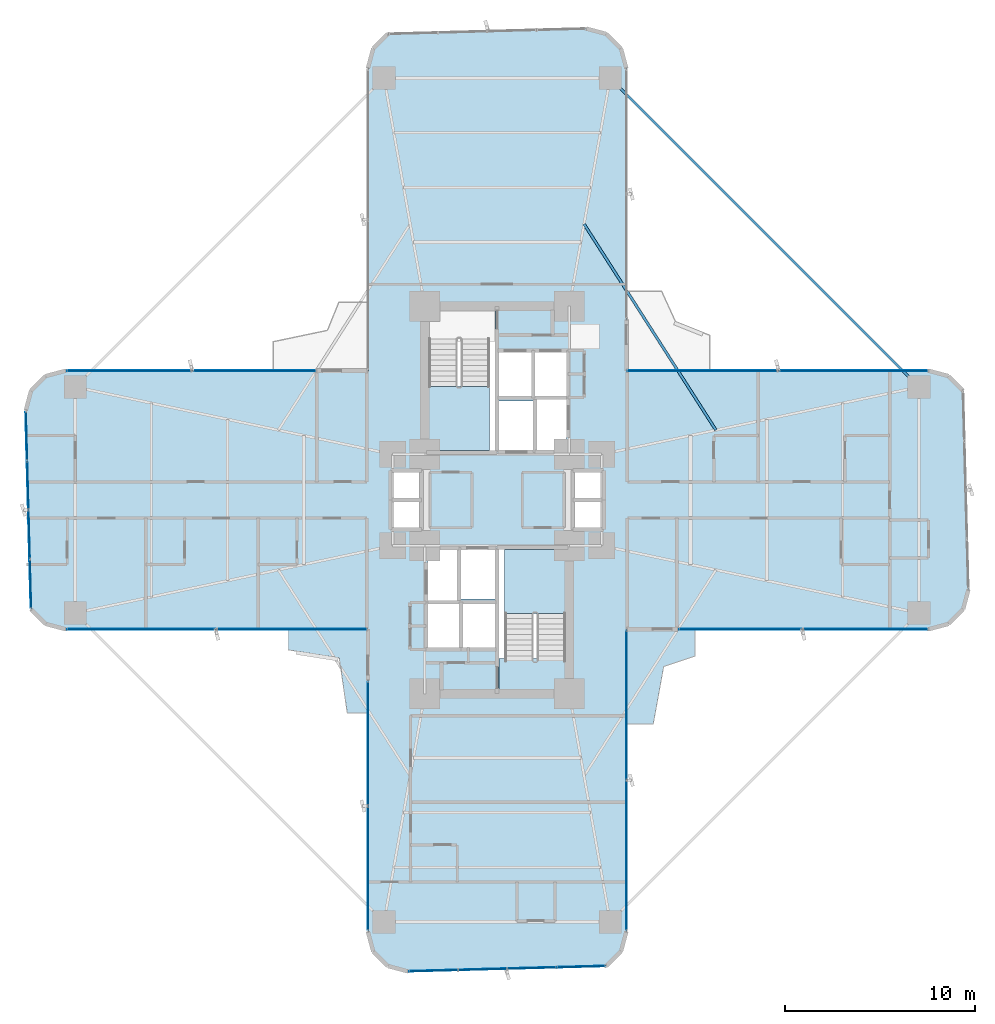
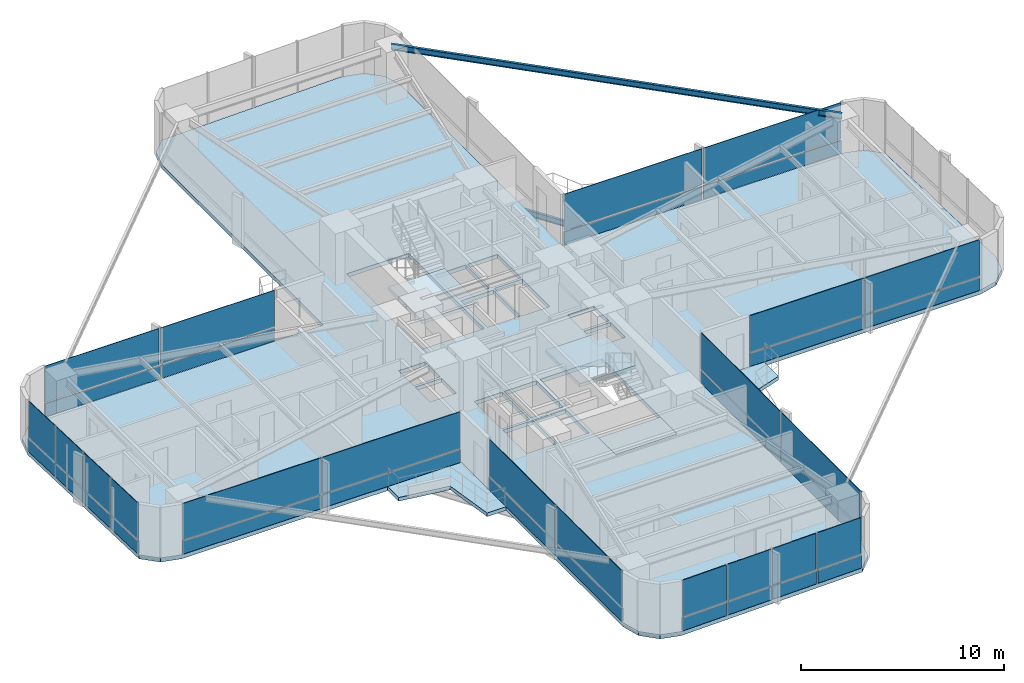
# One storey, part 20 of 25: 40 plates, 6 slabs, 2 beams, 10 elements without a shape of their own.
"""IFC4 building model written with IfcOpenShell, lengths in metres."""

from ifc_helpers import new_model, si_unit, direction, frame, origin, origin_2d, place, context, subcontext, project, spatial, polyline, rectangle, i_section, outline, extrude, source, transform, mapped, material, layer, layer_set, material_profile, profile_set, type_object, element, aggregate, save


model = new_model("IFC4")

# Units and contexts
model_context = context("Model", 3, precision=1e-05, world=origin(), true_north=direction((0.0, 1.0)))
body_context = subcontext(model_context, "Body", "Model", "MODEL_VIEW")
ifc_project = project(units=[si_unit("LENGTHUNIT", "METRE"), si_unit("AREAUNIT", "SQUARE_METRE"), si_unit("VOLUMEUNIT", "CUBIC_METRE"), si_unit("PLANEANGLEUNIT", "RADIAN"), si_unit("MASSUNIT", "GRAM", prefix="KILO")], contexts=[model_context])

# Site, building, storey
site_placement = place(None, origin())
site = spatial("IfcSite", under=ifc_project, at=site_placement, CompositionType="ELEMENT")
building_placement = place(site_placement, origin())
building = spatial("IfcBuilding", under=site, at=building_placement, Name="Sahyath Konkavel Grand Hotel", CompositionType="ELEMENT")
storey_placement = place(building_placement, frame((0.0, 0.0, 57.75)))
storey = spatial("IfcBuildingStorey", under=building, at=storey_placement, Name="L15", CompositionType="ELEMENT", Elevation=57.75)

# Beams
ifc_material_1 = material(Name="Steel E350", Category="steel")
ifc_material_profile_1 = material_profile(ifc_material_1, i_section(OverallWidth=0.139892578125, OverallDepth=0.35009765625, WebThickness=0.008056640625, FlangeThickness=0.01416015625, FilletRadius=0.013916015625, at=origin_2d()), Name="ISMB 350")
ifc_profile_set_1 = profile_set([ifc_material_profile_1], Name="Steel E350")
beam_type_1 = type_object("IfcBeamType", Name="BM-ISMB350", PredefinedType="BEAM", material=ifc_profile_set_1)
shared_shape_1 = source(origin(), body_context, "Body", "SweptSolid", [
    extrude(i_section(OverallWidth=0.139892578125, OverallDepth=0.35009765625, WebThickness=0.008056640625, FlangeThickness=0.01416015625, FilletRadius=0.013916015625, at=origin_2d()), origin(), (0.0, 0.0, 1.0), 22.98095703125),
])
beam_1_placement = place(storey_placement, frame((22.199951171875, 5.949951171875, 2.93505859375), z_axis=(-0.707106781187, 0.707106781187, 0.0), x_axis=(-0.707106781187, -0.707106781187, 0.0)))
element("IfcBeam", 1, at=beam_1_placement, inside=storey, type_object=beam_type_1, Name="L15 Re-Entrant Tie Beam NE", PredefinedType="BEAM", context=body_context, shape_type="MappedRepresentation", body=[
    mapped(shared_shape_1, transform((0.0, 0.0, 0.0), scale=1.0)),
])
ifc_material_profile_2 = material_profile(ifc_material_1, i_section(OverallWidth=0.139892578125, OverallDepth=0.35009765625, WebThickness=0.008056640625, FlangeThickness=0.01416015625, FilletRadius=0.013916015625, at=origin_2d()), Name="ISMB 350")
ifc_profile_set_2 = profile_set([ifc_material_profile_2], Name="Steel E350")
beam_type_2 = type_object("IfcBeamType", Name="BM-BALC-CANT", PredefinedType="BEAM", material=ifc_profile_set_2)
shared_shape_2 = source(origin(), body_context, "Body", "SweptSolid", [
    extrude(i_section(OverallWidth=0.139892578125, OverallDepth=0.35009765625, WebThickness=0.008056640625, FlangeThickness=0.01416015625, FilletRadius=0.013916015625, at=origin_2d()), origin(), (0.0, 0.0, 1.0), 12.871826171875),
])
beam_2_placement = place(storey_placement, frame((11.511962890625, 3.677978515625, -0.4150390625), z_axis=(-0.539003102535, 0.842303778608, 0.0), x_axis=(-0.842303778608, -0.539003102535, 0.0)))
element("IfcBeam", 2, at=beam_2_placement, inside=storey, type_object=beam_type_2, Name="L15 Balcony Cantilever Support Beam NE", PredefinedType="BEAM", context=body_context, shape_type="MappedRepresentation", body=[
    mapped(shared_shape_2, transform((0.0, 0.0, 0.0), scale=1.0)),
])

# Slabs
ifc_material_2 = material(Name="Concrete C40/50", Category="concrete")
ifc_layer_1 = layer(ifc_material_2, 0.239990234375)
ifc_layer_set_1 = layer_set([ifc_layer_1], Name="Concrete C40/50")
slab_type_1 = type_object("IfcSlabType", Name="SLB-240", PredefinedType="FLOOR", material=ifc_layer_set_1)
slab_1_placement = place(storey_placement, frame((0.0, 0.0, -0.239990234375)))
element("IfcSlab", 3, at=slab_1_placement, inside=storey, type_object=slab_type_1, Name="L15 Structural Floor Slab", PredefinedType="FLOOR", context=body_context, shape_type="SweptSolid", body=[
    extrude(outline(polyline([(6.800048828125, -6.800048828125), (22.699951171875, -6.800048828125), (23.75, -6.518798828125), (24.518798828125, -5.75), (24.800048828125, -4.699951171875), (24.518798828125, 5.75), (23.75, 6.518798828125), (22.699951171875, 6.800048828125), (6.800048828125, 6.800048828125), (6.800048828125, 22.699951171875), (6.518798828125, 23.75), (5.75, 24.518798828125), (4.699951171875, 24.800048828125), (-5.75, 24.518798828125), (-6.518798828125, 23.75), (-6.800048828125, 22.699951171875), (-6.800048828125, 6.800048828125), (-22.699951171875, 6.800048828125), (-23.75, 6.518798828125), (-24.518798828125, 5.75), (-24.800048828125, 4.699951171875), (-24.518798828125, -5.75), (-23.75, -6.518798828125), (-22.699951171875, -6.800048828125), (-6.800048828125, -6.800048828125), (-6.800048828125, -22.699951171875), (-6.518798828125, -23.75), (-5.75, -24.518798828125), (-4.699951171875, -24.800048828125), (5.75, -24.518798828125), (6.518798828125, -23.75), (6.800048828125, -22.699951171875), (6.800048828125, -6.800048828125)]), holes=[polyline([(-3.6201171875, 2.580078125), (-0.10009765625, 2.580078125), (-0.10009765625, 10.02001953125), (-3.6201171875, 10.02001953125), (-3.6201171875, 2.580078125)]), polyline([(0.10009765625, -10.02001953125), (3.6201171875, -10.02001953125), (3.6201171875, -2.580078125), (0.10009765625, -2.580078125), (0.10009765625, -10.02001953125)]), polyline([(0.10009765625, 2.60009765625), (1.949951171875, 2.60009765625), (1.949951171875, 5.199951171875), (0.10009765625, 5.199951171875), (0.10009765625, 2.60009765625)]), polyline([(-1.949951171875, -5.199951171875), (-0.10009765625, -5.199951171875), (-0.10009765625, -2.60009765625), (-1.949951171875, -2.60009765625), (-1.949951171875, -5.199951171875)]), polyline([(2.050048828125, 2.60009765625), (3.64990234375, 2.60009765625), (3.64990234375, 5.300048828125), (2.050048828125, 5.300048828125), (2.050048828125, 2.60009765625)]), polyline([(-3.64990234375, -5.300048828125), (-2.050048828125, -5.300048828125), (-2.050048828125, -2.60009765625), (-3.64990234375, -2.60009765625), (-3.64990234375, -5.300048828125)]), polyline([(0.10009765625, 5.449951171875), (1.85009765625, 5.449951171875), (1.85009765625, 7.75), (0.10009765625, 7.75), (0.10009765625, 5.449951171875)]), polyline([(1.949951171875, 5.449951171875), (3.64990234375, 5.449951171875), (3.64990234375, 7.75), (1.949951171875, 7.75), (1.949951171875, 5.449951171875)]), polyline([(-3.64990234375, -7.75), (-1.949951171875, -7.75), (-1.949951171875, -5.449951171875), (-3.64990234375, -5.449951171875), (-3.64990234375, -7.75)]), polyline([(-1.85009765625, -7.75), (-0.10009765625, -7.75), (-0.10009765625, -5.449951171875), (-1.85009765625, -5.449951171875), (-1.85009765625, -7.75)]), polyline([(4.050048828125, 0.080078125), (5.550048828125, 0.080078125), (5.550048828125, 1.5400390625), (4.050048828125, 1.5400390625), (4.050048828125, 0.080078125)]), polyline([(4.050048828125, -1.5400390625), (5.550048828125, -1.5400390625), (5.550048828125, -0.080078125), (4.050048828125, -0.080078125), (4.050048828125, -1.5400390625)]), polyline([(-5.550048828125, 0.080078125), (-4.050048828125, 0.080078125), (-4.050048828125, 1.5400390625), (-5.550048828125, 1.5400390625), (-5.550048828125, 0.080078125)]), polyline([(-5.550048828125, -1.5400390625), (-4.050048828125, -1.5400390625), (-4.050048828125, -0.080078125), (-5.550048828125, -0.080078125), (-5.550048828125, -1.5400390625)])]), origin(), (0.0, 0.0, 1.0), 0.239990234375),
])
ifc_layer_2 = layer(ifc_material_2, 0.219970703125)
ifc_layer_set_2 = layer_set([ifc_layer_2], Name="Concrete C40/50")
slab_type_2 = type_object("IfcSlabType", Name="SLB-BALCONY-220", PredefinedType="FLOOR", material=ifc_layer_set_2)
slab_2_placement = place(storey_placement, frame((0.0, 0.0, -0.219970703125)))
element("IfcSlab", 4, at=slab_2_placement, inside=storey, type_object=slab_type_2, Name="L15 Winter-Garden Balcony SW", PredefinedType="FLOOR", context=body_context, shape_type="SweptSolid", body=[
    extrude(outline(polyline([(-6.800048828125, -6.800048828125), (-10.989990234375, -6.800048828125), (-10.989990234375, -7.885009765625), (-8.306884765625, -8.306884765625), (-7.885009765625, -11.2099609375), (-6.800048828125, -11.2099609375), (-6.800048828125, -6.800048828125)])), origin(), (0.0, 0.0, 1.0), 0.219970703125),
])
slab_3_placement = place(storey_placement, frame((0.0, 0.0, -0.219970703125)))
element("IfcSlab", 5, at=slab_3_placement, inside=storey, type_object=slab_type_2, Name="L15 Winter-Garden Balcony SE", PredefinedType="FLOOR", context=body_context, shape_type="SweptSolid", body=[
    extrude(outline(polyline([(6.800048828125, -6.800048828125), (6.800048828125, -11.791015625), (8.214111328125, -11.791015625), (8.763916015625, -8.763916015625), (10.408935546875, -8.214111328125), (10.408935546875, -6.800048828125), (6.800048828125, -6.800048828125)])), origin(), (0.0, 0.0, 1.0), 0.219970703125),
])

# Stair, slab
stair_type = type_object("IfcStairType", Name="STR-ST16-335", PredefinedType="HALF_TURN_STAIR", material=ifc_material_2)
stair_1_placement = place(storey_placement, origin())
stair_1 = element("IfcStair", 6, at=stair_1_placement, inside=storey, type_object=stair_type, Name="L15 North Core Smokeproof Exit Stair ST-1", PredefinedType="HALF_TURN_STAIR")
ifc_layer_3 = layer(ifc_material_2, 0.199951171875)
ifc_layer_set_3 = layer_set([ifc_layer_3], Name="Concrete C40/50")
slab_type_3 = type_object("IfcSlabType", Name="SLB-STAIR-LND", PredefinedType="LANDING", material=ifc_layer_set_3)
slab_4_placement = place(storey_placement, frame((0.0, 0.0, 1.47509765625)))
slab_4 = element("IfcSlab", 7, at=slab_4_placement, type_object=slab_type_3, Name="ST-1 landing 1", PredefinedType="LANDING", context=body_context, shape_type="SweptSolid", body=[
    extrude(outline(polyline([(-3.60009765625, 5.9599609375), (-3.60009765625, 2.60009765625), (-0.39990234375, 2.60009765625), (-0.39990234375, 5.9599609375), (-3.60009765625, 5.9599609375)])), origin(), (0.0, 0.0, 1.0), 0.199951171875),
])
aggregate(stair_1, [slab_4])

stair_2_placement = place(storey_placement, origin())
stair_2 = element("IfcStair", 8, at=stair_2_placement, inside=storey, type_object=stair_type, Name="L15 South Core Smokeproof Exit Stair ST-2", PredefinedType="HALF_TURN_STAIR")
slab_5_placement = place(storey_placement, frame((0.0, 0.0, 1.47509765625)))
slab_5 = element("IfcSlab", 9, at=slab_5_placement, type_object=slab_type_3, Name="ST-2 landing 1", PredefinedType="LANDING", context=body_context, shape_type="SweptSolid", body=[
    extrude(outline(polyline([(3.60009765625, -5.9599609375), (3.60009765625, -2.60009765625), (0.39990234375, -2.60009765625), (0.39990234375, -5.9599609375), (3.60009765625, -5.9599609375)])), origin(), (0.0, 0.0, 1.0), 0.199951171875),
])
aggregate(stair_2, [slab_5])

# Slab
slab_6_placement = place(storey_placement, frame((0.0, 0.0, -0.199951171875)))
element("IfcSlab", 10, at=slab_6_placement, inside=storey, type_object=slab_type_3, Name="L15 Stair ST-2 Floor Landing Slab", PredefinedType="LANDING", context=body_context, shape_type="SweptSolid", body=[
    extrude(outline(polyline([(0.10009765625, -10.02001953125), (3.6201171875, -10.02001953125), (3.6201171875, -8.35009765625), (0.10009765625, -8.35009765625), (0.10009765625, -10.02001953125)])), origin(), (0.0, 0.0, 1.0), 0.199951171875),
])

# Curtain wall, plates
ifc_material_3 = material(Name="Anodised Bronze Aluminium & Low-E Glazing", Category="aluminium")
curtain_wall_type = type_object("IfcCurtainWallType", Name="CW-ZONE1", PredefinedType="NOTDEFINED", material=ifc_material_3)
curtain_wall_1_placement = place(storey_placement, origin())
curtain_wall_1 = element("IfcCurtainWall", 11, at=curtain_wall_1_placement, inside=storey, type_object=curtain_wall_type, Name="L15 Unitised Curtain Wall F7", PredefinedType="NOTDEFINED")
ifc_material_4 = material(Name="Warm Buff Sandstone Cladding", Category="masonry")
ifc_layer_4 = layer(ifc_material_4, 0.074951171875)
ifc_layer_set_4 = layer_set([ifc_layer_4], Name="Warm Buff Sandstone Cladding")
plate_type_1 = type_object("IfcPlateType", Name="PNL-SPANDREL-STONE", PredefinedType="SHEET", material=ifc_layer_set_4)
shared_shape_3 = source(origin(), body_context, "Body", "SweptSolid", [
    extrude(rectangle(XDim=7.830078125, YDim=0.074951171875, at=origin_2d()), origin(), (0.0, 0.0, 1.0), 0.77001953125),
])
plate_1_placement = place(storey_placement, frame((18.705078125, 6.800048828125, 0.0400390625), z_axis=(0.0, 0.0, 1.0), x_axis=(-1.0, 0.0, 0.0)))
plate_1 = element("IfcPlate", 12, at=plate_1_placement, type_object=plate_type_1, Name="L15 Sandstone Relief Spandrel Panel F7-0", PredefinedType="SHEET", context=body_context, shape_type="MappedRepresentation", body=[
    mapped(shared_shape_3, transform((0.0, 0.0, 0.0), scale=1.0)),
])
plate_2_placement = place(storey_placement, frame((10.794921875, 6.800048828125, 0.0400390625), z_axis=(0.0, 0.0, 1.0), x_axis=(-1.0, 0.0, 0.0)))
plate_2 = element("IfcPlate", 13, at=plate_2_placement, type_object=plate_type_1, Name="L15 Sandstone Relief Spandrel Panel F7-1", PredefinedType="SHEET", context=body_context, shape_type="MappedRepresentation", body=[
    mapped(shared_shape_3, transform((0.0, 0.0, 0.0), scale=1.0)),
])

curtain_wall_2_placement = place(storey_placement, origin())
curtain_wall_2 = element("IfcCurtainWall", 14, at=curtain_wall_2_placement, inside=storey, type_object=curtain_wall_type, Name="L15 Unitised Curtain Wall F23", PredefinedType="NOTDEFINED")
plate_3_placement = place(storey_placement, frame((-18.705078125, -6.800048828125, 0.0400390625), z_axis=(0.0, 0.0, 1.0), x_axis=(1.0, 0.0, 0.0)))
plate_3 = element("IfcPlate", 15, at=plate_3_placement, type_object=plate_type_1, Name="L15 Sandstone Relief Spandrel Panel F23-0", PredefinedType="SHEET", context=body_context, shape_type="MappedRepresentation", body=[
    mapped(shared_shape_3, transform((0.0, 0.0, 0.0), scale=1.0)),
])
plate_4_placement = place(storey_placement, frame((-10.794921875, -6.800048828125, 0.0400390625), z_axis=(0.0, 0.0, 1.0), x_axis=(1.0, 0.0, 0.0)))
plate_4 = element("IfcPlate", 16, at=plate_4_placement, type_object=plate_type_1, Name="L15 Sandstone Relief Spandrel Panel F23-1", PredefinedType="SHEET", context=body_context, shape_type="MappedRepresentation", body=[
    mapped(shared_shape_3, transform((0.0, 0.0, 0.0), scale=1.0)),
])

curtain_wall_3_placement = place(storey_placement, origin())
curtain_wall_3 = element("IfcCurtainWall", 17, at=curtain_wall_3_placement, inside=storey, type_object=curtain_wall_type, Name="L15 Unitised Curtain Wall F31", PredefinedType="NOTDEFINED")
plate_5_placement = place(storey_placement, frame((6.800048828125, -18.705078125, 0.0400390625), z_axis=(0.0, 0.0, 1.0), x_axis=(0.0, 1.0, 0.0)))
plate_5 = element("IfcPlate", 18, at=plate_5_placement, type_object=plate_type_1, Name="L15 Sandstone Relief Spandrel Panel F31-0", PredefinedType="SHEET", context=body_context, shape_type="MappedRepresentation", body=[
    mapped(shared_shape_3, transform((0.0, 0.0, 0.0), scale=1.0)),
])
plate_6_placement = place(storey_placement, frame((6.800048828125, -10.794921875, 0.0400390625), z_axis=(0.0, 0.0, 1.0), x_axis=(0.0, 1.0, 0.0)))
plate_6 = element("IfcPlate", 19, at=plate_6_placement, type_object=plate_type_1, Name="L15 Sandstone Relief Spandrel Panel F31-1", PredefinedType="SHEET", context=body_context, shape_type="MappedRepresentation", body=[
    mapped(shared_shape_3, transform((0.0, 0.0, 0.0), scale=1.0)),
])

# Plate
ifc_material_5 = material(Name="Low-E Solar Control Double Glazing", Category="glass")
ifc_layer_5 = layer(ifc_material_5, 0.035888671875)
ifc_layer_set_5 = layer_set([ifc_layer_5], Name="Low-E Solar Control Double Glazing")
plate_type_2 = type_object("IfcPlateType", Name="PNL-VISION-LOWE", PredefinedType="CURTAIN_PANEL", material=ifc_layer_set_5)
shared_shape_4 = source(origin(), body_context, "Body", "SweptSolid", [
    extrude(rectangle(XDim=7.830078125, YDim=0.035888671875, at=origin_2d()), origin(), (0.0, 0.0, 1.0), 2.179931640625),
])
plate_7_placement = place(storey_placement, frame((18.705078125, 6.800048828125, 0.89013671875), z_axis=(0.0, 0.0, 1.0), x_axis=(-1.0, 0.0, 0.0)))
plate_7 = element("IfcPlate", 20, at=plate_7_placement, type_object=plate_type_2, Name="L15 Low-E Vision Glazing Panel F7-0", PredefinedType="CURTAIN_PANEL", context=body_context, shape_type="MappedRepresentation", body=[
    mapped(shared_shape_4, transform((0.0, 0.0, 0.0), scale=1.0)),
])

plate_8_placement = place(storey_placement, frame((10.794921875, 6.800048828125, 0.89013671875), z_axis=(0.0, 0.0, 1.0), x_axis=(-1.0, 0.0, 0.0)))
plate_8 = element("IfcPlate", 21, at=plate_8_placement, type_object=plate_type_2, Name="L15 Low-E Vision Glazing Panel F7-1", PredefinedType="CURTAIN_PANEL", context=body_context, shape_type="MappedRepresentation", body=[
    mapped(shared_shape_4, transform((0.0, 0.0, 0.0), scale=1.0)),
])

aggregate(curtain_wall_1, [plate_1, plate_7, plate_2, plate_8])

plate_9_placement = place(storey_placement, frame((-18.705078125, -6.800048828125, 0.89013671875), z_axis=(0.0, 0.0, 1.0), x_axis=(1.0, 0.0, 0.0)))
plate_9 = element("IfcPlate", 22, at=plate_9_placement, type_object=plate_type_2, Name="L15 Low-E Vision Glazing Panel F23-0", PredefinedType="CURTAIN_PANEL", context=body_context, shape_type="MappedRepresentation", body=[
    mapped(shared_shape_4, transform((0.0, 0.0, 0.0), scale=1.0)),
])

plate_10_placement = place(storey_placement, frame((-10.794921875, -6.800048828125, 0.89013671875), z_axis=(0.0, 0.0, 1.0), x_axis=(1.0, 0.0, 0.0)))
plate_10 = element("IfcPlate", 23, at=plate_10_placement, type_object=plate_type_2, Name="L15 Low-E Vision Glazing Panel F23-1", PredefinedType="CURTAIN_PANEL", context=body_context, shape_type="MappedRepresentation", body=[
    mapped(shared_shape_4, transform((0.0, 0.0, 0.0), scale=1.0)),
])

aggregate(curtain_wall_2, [plate_3, plate_9, plate_4, plate_10])

plate_11_placement = place(storey_placement, frame((6.800048828125, -18.705078125, 0.89013671875), z_axis=(0.0, 0.0, 1.0), x_axis=(0.0, 1.0, 0.0)))
plate_11 = element("IfcPlate", 24, at=plate_11_placement, type_object=plate_type_2, Name="L15 Low-E Vision Glazing Panel F31-0", PredefinedType="CURTAIN_PANEL", context=body_context, shape_type="MappedRepresentation", body=[
    mapped(shared_shape_4, transform((0.0, 0.0, 0.0), scale=1.0)),
])

plate_12_placement = place(storey_placement, frame((6.800048828125, -10.794921875, 0.89013671875), z_axis=(0.0, 0.0, 1.0), x_axis=(0.0, 1.0, 0.0)))
plate_12 = element("IfcPlate", 25, at=plate_12_placement, type_object=plate_type_2, Name="L15 Low-E Vision Glazing Panel F31-1", PredefinedType="CURTAIN_PANEL", context=body_context, shape_type="MappedRepresentation", body=[
    mapped(shared_shape_4, transform((0.0, 0.0, 0.0), scale=1.0)),
])

aggregate(curtain_wall_3, [plate_5, plate_11, plate_6, plate_12])

# Curtain wall, plates
curtain_wall_4_placement = place(storey_placement, origin())
curtain_wall_4 = element("IfcCurtainWall", 26, at=curtain_wall_4_placement, inside=storey, type_object=curtain_wall_type, Name="L15 Unitised Curtain Wall F20", PredefinedType="NOTDEFINED")
shared_shape_5 = source(origin(), body_context, "Body", "SweptSolid", [
    extrude(rectangle(XDim=2.513427734375, YDim=0.074951171875, at=origin_2d()), origin(), (0.0, 0.0, 1.0), 0.77001953125),
])
plate_13_placement = place(storey_placement, frame((-24.763916015625, 3.36376953125, 0.0400390625), z_axis=(0.0, 0.0, 1.0), x_axis=(0.026909728301, -0.999637867691, 0.0)))
plate_13 = element("IfcPlate", 27, at=plate_13_placement, type_object=plate_type_1, Name="L15 Sandstone Relief Spandrel Panel F20-0", PredefinedType="SHEET", context=body_context, shape_type="MappedRepresentation", body=[
    mapped(shared_shape_5, transform((0.0, 0.0, 0.0), scale=1.0)),
])
plate_14_placement = place(storey_placement, frame((-24.694091796875, 0.771240234375, 0.0400390625), z_axis=(0.0, 0.0, 1.0), x_axis=(0.026909728301, -0.999637867691, 0.0)))
plate_14 = element("IfcPlate", 28, at=plate_14_placement, type_object=plate_type_1, Name="L15 Sandstone Relief Spandrel Panel F20-1", PredefinedType="SHEET", context=body_context, shape_type="MappedRepresentation", body=[
    mapped(shared_shape_5, transform((0.0, 0.0, 0.0), scale=1.0)),
])
plate_15_placement = place(storey_placement, frame((-24.62451171875, -1.8212890625, 0.0400390625), z_axis=(0.0, 0.0, 1.0), x_axis=(0.026909728301, -0.999637867691, 0.0)))
plate_15 = element("IfcPlate", 29, at=plate_15_placement, type_object=plate_type_1, Name="L15 Sandstone Relief Spandrel Panel F20-2", PredefinedType="SHEET", context=body_context, shape_type="MappedRepresentation", body=[
    mapped(shared_shape_5, transform((0.0, 0.0, 0.0), scale=1.0)),
])
plate_16_placement = place(storey_placement, frame((-24.5546875, -4.413818359375, 0.0400390625), z_axis=(0.0, 0.0, 1.0), x_axis=(0.026909728301, -0.999637867691, 0.0)))
plate_16 = element("IfcPlate", 30, at=plate_16_placement, type_object=plate_type_1, Name="L15 Sandstone Relief Spandrel Panel F20-3", PredefinedType="SHEET", context=body_context, shape_type="MappedRepresentation", body=[
    mapped(shared_shape_5, transform((0.0, 0.0, 0.0), scale=1.0)),
])

curtain_wall_5_placement = place(storey_placement, origin())
curtain_wall_5 = element("IfcCurtainWall", 31, at=curtain_wall_5_placement, inside=storey, type_object=curtain_wall_type, Name="L15 Unitised Curtain Wall F28", PredefinedType="NOTDEFINED")
plate_17_placement = place(storey_placement, frame((-3.36376953125, -24.763916015625, 0.0400390625), z_axis=(0.0, 0.0, 1.0), x_axis=(0.999637867691, 0.026909728301, 0.0)))
plate_17 = element("IfcPlate", 32, at=plate_17_placement, type_object=plate_type_1, Name="L15 Sandstone Relief Spandrel Panel F28-0", PredefinedType="SHEET", context=body_context, shape_type="MappedRepresentation", body=[
    mapped(shared_shape_5, transform((0.0, 0.0, 0.0), scale=1.0)),
])
plate_18_placement = place(storey_placement, frame((-0.771240234375, -24.694091796875, 0.0400390625), z_axis=(0.0, 0.0, 1.0), x_axis=(0.999637867691, 0.026909728301, 0.0)))
plate_18 = element("IfcPlate", 33, at=plate_18_placement, type_object=plate_type_1, Name="L15 Sandstone Relief Spandrel Panel F28-1", PredefinedType="SHEET", context=body_context, shape_type="MappedRepresentation", body=[
    mapped(shared_shape_5, transform((0.0, 0.0, 0.0), scale=1.0)),
])
plate_19_placement = place(storey_placement, frame((1.8212890625, -24.62451171875, 0.0400390625), z_axis=(0.0, 0.0, 1.0), x_axis=(0.999637867691, 0.026909728301, 0.0)))
plate_19 = element("IfcPlate", 34, at=plate_19_placement, type_object=plate_type_1, Name="L15 Sandstone Relief Spandrel Panel F28-2", PredefinedType="SHEET", context=body_context, shape_type="MappedRepresentation", body=[
    mapped(shared_shape_5, transform((0.0, 0.0, 0.0), scale=1.0)),
])
plate_20_placement = place(storey_placement, frame((4.413818359375, -24.5546875, 0.0400390625), z_axis=(0.0, 0.0, 1.0), x_axis=(0.999637867691, 0.026909728301, 0.0)))
plate_20 = element("IfcPlate", 35, at=plate_20_placement, type_object=plate_type_1, Name="L15 Sandstone Relief Spandrel Panel F28-3", PredefinedType="SHEET", context=body_context, shape_type="MappedRepresentation", body=[
    mapped(shared_shape_5, transform((0.0, 0.0, 0.0), scale=1.0)),
])

# Plate
shared_shape_6 = source(origin(), body_context, "Body", "SweptSolid", [
    extrude(rectangle(XDim=2.513427734375, YDim=0.035888671875, at=origin_2d()), origin(), (0.0, 0.0, 1.0), 2.179931640625),
])
plate_21_placement = place(storey_placement, frame((-24.763916015625, 3.36376953125, 0.89013671875), z_axis=(0.0, 0.0, 1.0), x_axis=(0.026909728301, -0.999637867691, 0.0)))
plate_21 = element("IfcPlate", 36, at=plate_21_placement, type_object=plate_type_2, Name="L15 Low-E Vision Glazing Panel F20-0", PredefinedType="CURTAIN_PANEL", context=body_context, shape_type="MappedRepresentation", body=[
    mapped(shared_shape_6, transform((0.0, 0.0, 0.0), scale=1.0)),
])

plate_22_placement = place(storey_placement, frame((-24.694091796875, 0.771240234375, 0.89013671875), z_axis=(0.0, 0.0, 1.0), x_axis=(0.026909728301, -0.999637867691, 0.0)))
plate_22 = element("IfcPlate", 37, at=plate_22_placement, type_object=plate_type_2, Name="L15 Low-E Vision Glazing Panel F20-1", PredefinedType="CURTAIN_PANEL", context=body_context, shape_type="MappedRepresentation", body=[
    mapped(shared_shape_6, transform((0.0, 0.0, 0.0), scale=1.0)),
])

plate_23_placement = place(storey_placement, frame((-24.62451171875, -1.8212890625, 0.89013671875), z_axis=(0.0, 0.0, 1.0), x_axis=(0.026909728301, -0.999637867691, 0.0)))
plate_23 = element("IfcPlate", 38, at=plate_23_placement, type_object=plate_type_2, Name="L15 Low-E Vision Glazing Panel F20-2", PredefinedType="CURTAIN_PANEL", context=body_context, shape_type="MappedRepresentation", body=[
    mapped(shared_shape_6, transform((0.0, 0.0, 0.0), scale=1.0)),
])

plate_24_placement = place(storey_placement, frame((-24.5546875, -4.413818359375, 0.89013671875), z_axis=(0.0, 0.0, 1.0), x_axis=(0.026909728301, -0.999637867691, 0.0)))
plate_24 = element("IfcPlate", 39, at=plate_24_placement, type_object=plate_type_2, Name="L15 Low-E Vision Glazing Panel F20-3", PredefinedType="CURTAIN_PANEL", context=body_context, shape_type="MappedRepresentation", body=[
    mapped(shared_shape_6, transform((0.0, 0.0, 0.0), scale=1.0)),
])

aggregate(curtain_wall_4, [plate_13, plate_21, plate_14, plate_22, plate_15, plate_23, plate_16, plate_24])

plate_25_placement = place(storey_placement, frame((-3.36376953125, -24.763916015625, 0.89013671875), z_axis=(0.0, 0.0, 1.0), x_axis=(0.999637867691, 0.026909728301, 0.0)))
plate_25 = element("IfcPlate", 40, at=plate_25_placement, type_object=plate_type_2, Name="L15 Low-E Vision Glazing Panel F28-0", PredefinedType="CURTAIN_PANEL", context=body_context, shape_type="MappedRepresentation", body=[
    mapped(shared_shape_6, transform((0.0, 0.0, 0.0), scale=1.0)),
])

plate_26_placement = place(storey_placement, frame((-0.771240234375, -24.694091796875, 0.89013671875), z_axis=(0.0, 0.0, 1.0), x_axis=(0.999637867691, 0.026909728301, 0.0)))
plate_26 = element("IfcPlate", 41, at=plate_26_placement, type_object=plate_type_2, Name="L15 Low-E Vision Glazing Panel F28-1", PredefinedType="CURTAIN_PANEL", context=body_context, shape_type="MappedRepresentation", body=[
    mapped(shared_shape_6, transform((0.0, 0.0, 0.0), scale=1.0)),
])

plate_27_placement = place(storey_placement, frame((1.8212890625, -24.62451171875, 0.89013671875), z_axis=(0.0, 0.0, 1.0), x_axis=(0.999637867691, 0.026909728301, 0.0)))
plate_27 = element("IfcPlate", 42, at=plate_27_placement, type_object=plate_type_2, Name="L15 Low-E Vision Glazing Panel F28-2", PredefinedType="CURTAIN_PANEL", context=body_context, shape_type="MappedRepresentation", body=[
    mapped(shared_shape_6, transform((0.0, 0.0, 0.0), scale=1.0)),
])

plate_28_placement = place(storey_placement, frame((4.413818359375, -24.5546875, 0.89013671875), z_axis=(0.0, 0.0, 1.0), x_axis=(0.999637867691, 0.026909728301, 0.0)))
plate_28 = element("IfcPlate", 43, at=plate_28_placement, type_object=plate_type_2, Name="L15 Low-E Vision Glazing Panel F28-3", PredefinedType="CURTAIN_PANEL", context=body_context, shape_type="MappedRepresentation", body=[
    mapped(shared_shape_6, transform((0.0, 0.0, 0.0), scale=1.0)),
])

aggregate(curtain_wall_5, [plate_17, plate_25, plate_18, plate_26, plate_19, plate_27, plate_20, plate_28])

# Curtain wall, plates
curtain_wall_6_placement = place(storey_placement, origin())
curtain_wall_6 = element("IfcCurtainWall", 44, at=curtain_wall_6_placement, inside=storey, type_object=curtain_wall_type, Name="L15 Unitised Curtain Wall F0", PredefinedType="NOTDEFINED")
shared_shape_7 = source(origin(), body_context, "Body", "SweptSolid", [
    extrude(rectangle(XDim=6.47998046875, YDim=0.074951171875, at=origin_2d()), origin(), (0.0, 0.0, 1.0), 0.77001953125),
])
plate_29_placement = place(storey_placement, frame((12.820068359375, -6.800048828125, 0.0400390625), z_axis=(0.0, 0.0, 1.0), x_axis=(1.0, 0.0, 0.0)))
plate_29 = element("IfcPlate", 45, at=plate_29_placement, type_object=plate_type_1, Name="L15 Sandstone Relief Spandrel Panel F0-0", PredefinedType="SHEET", context=body_context, shape_type="MappedRepresentation", body=[
    mapped(shared_shape_7, transform((0.0, 0.0, 0.0), scale=1.0)),
])
plate_30_placement = place(storey_placement, frame((19.3798828125, -6.800048828125, 0.0400390625), z_axis=(0.0, 0.0, 1.0), x_axis=(1.0, 0.0, 0.0)))
plate_30 = element("IfcPlate", 46, at=plate_30_placement, type_object=plate_type_1, Name="L15 Sandstone Relief Spandrel Panel F0-1", PredefinedType="SHEET", context=body_context, shape_type="MappedRepresentation", body=[
    mapped(shared_shape_7, transform((0.0, 0.0, 0.0), scale=1.0)),
])

curtain_wall_7_placement = place(storey_placement, origin())
curtain_wall_7 = element("IfcCurtainWall", 47, at=curtain_wall_7_placement, inside=storey, type_object=curtain_wall_type, Name="L15 Unitised Curtain Wall F16", PredefinedType="NOTDEFINED")
plate_31_placement = place(storey_placement, frame((-12.820068359375, 6.800048828125, 0.0400390625), z_axis=(0.0, 0.0, 1.0), x_axis=(-1.0, 0.0, 0.0)))
plate_31 = element("IfcPlate", 48, at=plate_31_placement, type_object=plate_type_1, Name="L15 Sandstone Relief Spandrel Panel F16-0", PredefinedType="SHEET", context=body_context, shape_type="MappedRepresentation", body=[
    mapped(shared_shape_7, transform((0.0, 0.0, 0.0), scale=1.0)),
])
plate_32_placement = place(storey_placement, frame((-19.3798828125, 6.800048828125, 0.0400390625), z_axis=(0.0, 0.0, 1.0), x_axis=(-1.0, 0.0, 0.0)))
plate_32 = element("IfcPlate", 49, at=plate_32_placement, type_object=plate_type_1, Name="L15 Sandstone Relief Spandrel Panel F16-1", PredefinedType="SHEET", context=body_context, shape_type="MappedRepresentation", body=[
    mapped(shared_shape_7, transform((0.0, 0.0, 0.0), scale=1.0)),
])

curtain_wall_8_placement = place(storey_placement, origin())
curtain_wall_8 = element("IfcCurtainWall", 50, at=curtain_wall_8_placement, inside=storey, type_object=curtain_wall_type, Name="L15 Unitised Curtain Wall F24", PredefinedType="NOTDEFINED")
plate_33_placement = place(storey_placement, frame((-6.800048828125, -12.820068359375, 0.0400390625), z_axis=(0.0, 0.0, 1.0), x_axis=(0.0, -1.0, 0.0)))
plate_33 = element("IfcPlate", 51, at=plate_33_placement, type_object=plate_type_1, Name="L15 Sandstone Relief Spandrel Panel F24-0", PredefinedType="SHEET", context=body_context, shape_type="MappedRepresentation", body=[
    mapped(shared_shape_7, transform((0.0, 0.0, 0.0), scale=1.0)),
])
plate_34_placement = place(storey_placement, frame((-6.800048828125, -19.3798828125, 0.0400390625), z_axis=(0.0, 0.0, 1.0), x_axis=(0.0, -1.0, 0.0)))
plate_34 = element("IfcPlate", 52, at=plate_34_placement, type_object=plate_type_1, Name="L15 Sandstone Relief Spandrel Panel F24-1", PredefinedType="SHEET", context=body_context, shape_type="MappedRepresentation", body=[
    mapped(shared_shape_7, transform((0.0, 0.0, 0.0), scale=1.0)),
])

# Plate
shared_shape_8 = source(origin(), body_context, "Body", "SweptSolid", [
    extrude(rectangle(XDim=6.47998046875, YDim=0.035888671875, at=origin_2d()), origin(), (0.0, 0.0, 1.0), 2.179931640625),
])
plate_35_placement = place(storey_placement, frame((12.820068359375, -6.800048828125, 0.89013671875), z_axis=(0.0, 0.0, 1.0), x_axis=(1.0, 0.0, 0.0)))
plate_35 = element("IfcPlate", 53, at=plate_35_placement, type_object=plate_type_2, Name="L15 Low-E Vision Glazing Panel F0-0", PredefinedType="CURTAIN_PANEL", context=body_context, shape_type="MappedRepresentation", body=[
    mapped(shared_shape_8, transform((0.0, 0.0, 0.0), scale=1.0)),
])

plate_36_placement = place(storey_placement, frame((19.3798828125, -6.800048828125, 0.89013671875), z_axis=(0.0, 0.0, 1.0), x_axis=(1.0, 0.0, 0.0)))
plate_36 = element("IfcPlate", 54, at=plate_36_placement, type_object=plate_type_2, Name="L15 Low-E Vision Glazing Panel F0-1", PredefinedType="CURTAIN_PANEL", context=body_context, shape_type="MappedRepresentation", body=[
    mapped(shared_shape_8, transform((0.0, 0.0, 0.0), scale=1.0)),
])

aggregate(curtain_wall_6, [plate_29, plate_35, plate_30, plate_36])

plate_37_placement = place(storey_placement, frame((-12.820068359375, 6.800048828125, 0.89013671875), z_axis=(0.0, 0.0, 1.0), x_axis=(-1.0, 0.0, 0.0)))
plate_37 = element("IfcPlate", 55, at=plate_37_placement, type_object=plate_type_2, Name="L15 Low-E Vision Glazing Panel F16-0", PredefinedType="CURTAIN_PANEL", context=body_context, shape_type="MappedRepresentation", body=[
    mapped(shared_shape_8, transform((0.0, 0.0, 0.0), scale=1.0)),
])

plate_38_placement = place(storey_placement, frame((-19.3798828125, 6.800048828125, 0.89013671875), z_axis=(0.0, 0.0, 1.0), x_axis=(-1.0, 0.0, 0.0)))
plate_38 = element("IfcPlate", 56, at=plate_38_placement, type_object=plate_type_2, Name="L15 Low-E Vision Glazing Panel F16-1", PredefinedType="CURTAIN_PANEL", context=body_context, shape_type="MappedRepresentation", body=[
    mapped(shared_shape_8, transform((0.0, 0.0, 0.0), scale=1.0)),
])

aggregate(curtain_wall_7, [plate_31, plate_37, plate_32, plate_38])

plate_39_placement = place(storey_placement, frame((-6.800048828125, -12.820068359375, 0.89013671875), z_axis=(0.0, 0.0, 1.0), x_axis=(0.0, -1.0, 0.0)))
plate_39 = element("IfcPlate", 57, at=plate_39_placement, type_object=plate_type_2, Name="L15 Low-E Vision Glazing Panel F24-0", PredefinedType="CURTAIN_PANEL", context=body_context, shape_type="MappedRepresentation", body=[
    mapped(shared_shape_8, transform((0.0, 0.0, 0.0), scale=1.0)),
])

plate_40_placement = place(storey_placement, frame((-6.800048828125, -19.3798828125, 0.89013671875), z_axis=(0.0, 0.0, 1.0), x_axis=(0.0, -1.0, 0.0)))
plate_40 = element("IfcPlate", 58, at=plate_40_placement, type_object=plate_type_2, Name="L15 Low-E Vision Glazing Panel F24-1", PredefinedType="CURTAIN_PANEL", context=body_context, shape_type="MappedRepresentation", body=[
    mapped(shared_shape_8, transform((0.0, 0.0, 0.0), scale=1.0)),
])

aggregate(curtain_wall_8, [plate_33, plate_39, plate_34, plate_40])

save(model, "model.ifc")
